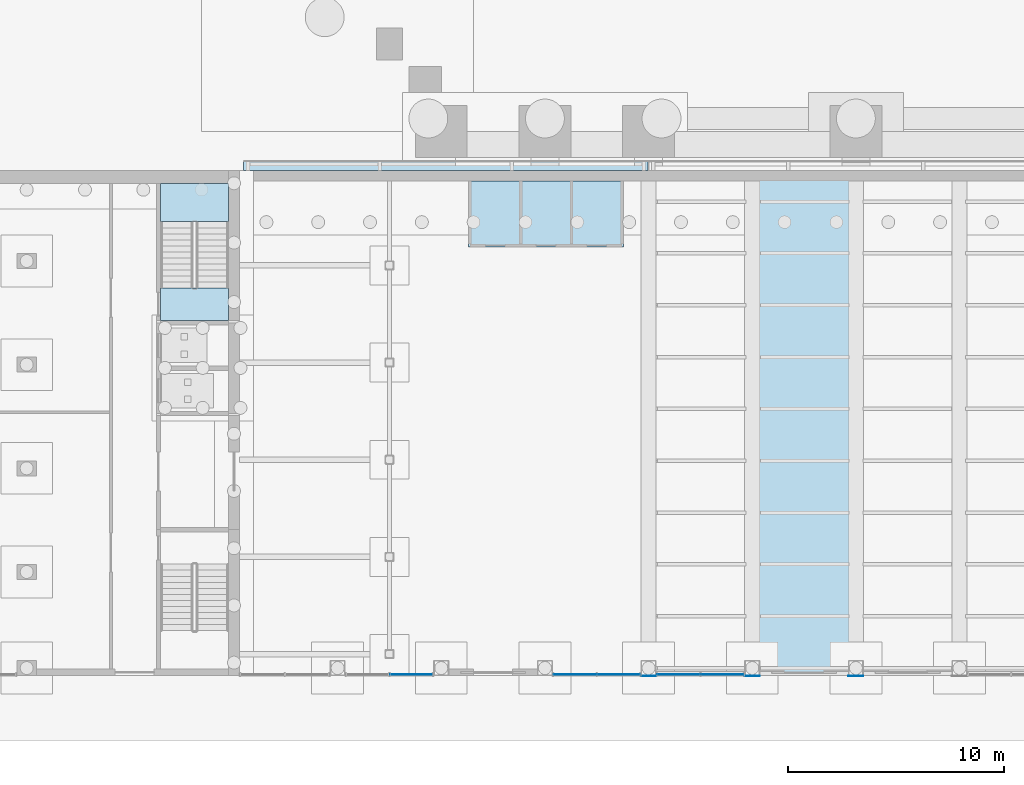
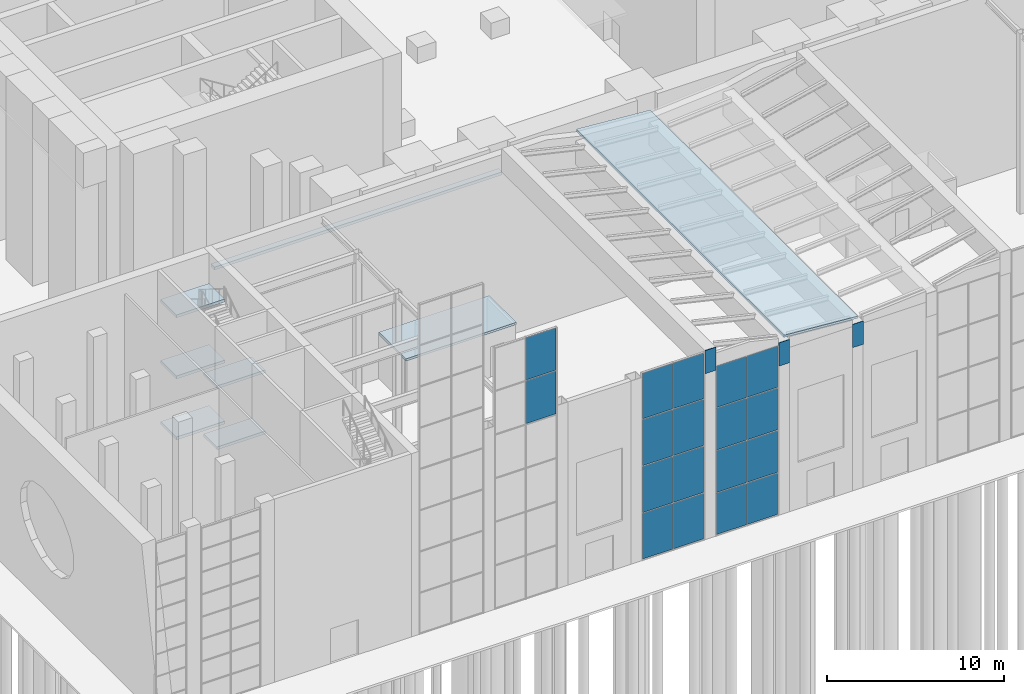
# One storey, part 39 of 58: 21 plates, 8 slabs, 4 elements without a shape of their own.
"""IFC4 building model written with IfcOpenShell, lengths in metres."""

from ifc_helpers import new_model, si_unit, direction, frame, origin, origin_2d, place, context, subcontext, project, spatial, polyline, rectangle, outline, extrude, material, layer, layer_set, type_object, element, aggregate, save


model = new_model("IFC4")

# Units and contexts
model_context = context("Model", 3, precision=1e-05, world=origin(), true_north=direction((0.0, 1.0)))
body_context = subcontext(model_context, "Body", "Model", "MODEL_VIEW")
ifc_project = project(units=[si_unit("LENGTHUNIT", "METRE"), si_unit("AREAUNIT", "SQUARE_METRE"), si_unit("VOLUMEUNIT", "CUBIC_METRE"), si_unit("PLANEANGLEUNIT", "RADIAN"), si_unit("MASSUNIT", "GRAM", prefix="KILO")], contexts=[model_context])

# Site, building, storey
site_placement = place(None, origin())
site = spatial("IfcSite", under=ifc_project, at=site_placement, CompositionType="ELEMENT")
building_placement = place(site_placement, origin())
building = spatial("IfcBuilding", under=site, at=building_placement, Name="Baori Bourse Tower", CompositionType="ELEMENT")
storey_placement = place(building_placement, origin())
storey = spatial("IfcBuildingStorey", under=building, at=storey_placement, Name="L00", CompositionType="ELEMENT", Elevation=0.0)

# Slab
ifc_material_1 = material(Name="Concrete f'c 40 MPa", Category="concrete")
ifc_layer_1 = layer(ifc_material_1, 0.199951171875)
ifc_layer_set_1 = layer_set([ifc_layer_1], Name="Entrance canopy slab 200")
slab_type_1 = type_object("IfcSlabType", Name="Entrance canopy slab 200", PredefinedType="ROOF", material=ifc_layer_set_1)
slab_1_placement = place(storey_placement, frame((0.0, 0.0, 10.800048828125)))
element("IfcSlab", 1, at=slab_1_placement, inside=storey, type_object=slab_type_1, Name="Canopy 1", PredefinedType="ROOF", context=body_context, shape_type="SweptSolid", body=[
    extrude(outline(polyline([(0.449951171875, -1.800048828125), (19.175048828125, -1.800048828125), (19.175048828125, -1.39990234375), (0.449951171875, -1.39990234375), (0.449951171875, -1.800048828125)])), origin(), (0.0, 0.0, 1.0), 0.199951171875),
])

# Plates
ifc_material_2 = material(Name="Steel A572 Gr 50", Category="steel")
ifc_layer_2 = layer(ifc_material_2, 0.030029296875)
ifc_layer_set_2 = layer_set([ifc_layer_2], Name="Girder end plate 30")
plate_type_1 = type_object("IfcPlateType", Name="Girder end plate 30", PredefinedType="SHEET", material=ifc_layer_set_2)
plate_1_placement = place(storey_placement, frame((0.0, 0.0, 11.42919921875)))
element("IfcPlate", 2, at=plate_1_placement, inside=storey, type_object=plate_type_1, Name="Girder end plate", PredefinedType="SHEET", context=body_context, shape_type="SweptSolid", body=[
    extrude(outline(polyline([(18.85009765625, -25.22998046875), (19.550048828125, -25.22998046875), (19.550048828125, -25.199951171875), (18.85009765625, -25.199951171875), (18.85009765625, -25.22998046875)])), origin(), (0.0, 0.0, 1.0), 1.60009765625),
])
plate_2_placement = place(storey_placement, frame((0.0, 0.0, 10.2734375)))
element("IfcPlate", 3, at=plate_2_placement, inside=storey, type_object=plate_type_1, Name="Girder end plate", PredefinedType="SHEET", context=body_context, shape_type="SweptSolid", body=[
    extrude(outline(polyline([(23.64990234375, -25.22998046875), (24.35009765625, -25.22998046875), (24.35009765625, -25.199951171875), (23.64990234375, -25.199951171875), (23.64990234375, -25.22998046875)])), origin(), (0.0, 0.0, 1.0), 1.60009765625),
])
plate_3_placement = place(storey_placement, frame((0.0, 0.0, 9.865234375)))
element("IfcPlate", 4, at=plate_3_placement, inside=storey, type_object=plate_type_1, Name="Girder end plate", PredefinedType="SHEET", context=body_context, shape_type="SweptSolid", body=[
    extrude(outline(polyline([(28.449951171875, -25.22998046875), (29.14990234375, -25.22998046875), (29.14990234375, -25.199951171875), (28.449951171875, -25.199951171875), (28.449951171875, -25.22998046875)])), origin(), (0.0, 0.0, 1.0), 1.60009765625),
])

# Slabs
ifc_material_3 = material(Name="Concrete f'c 40 MPa", Category="concrete")
ifc_layer_3 = layer(ifc_material_3, 0.14990234375)
ifc_layer_set_3 = layer_set([ifc_layer_3], Name="Hall roof deck 150")
slab_type_2 = type_object("IfcSlabType", Name="Hall roof deck 150", PredefinedType="ROOF", material=ifc_layer_set_3)
slab_2_placement = place(storey_placement, frame((24.0, -25.199951171875, 12.26416015625), z_axis=(0.075668707402, 0.0, 0.997133013554), x_axis=(0.997133013554, 0.0, -0.075668707402)))
element("IfcSlab", 5, at=slab_2_placement, inside=storey, type_object=slab_type_2, Name="wing/L00/deck/001", PredefinedType="ROOF", context=body_context, shape_type="SweptSolid", body=[
    extrude(outline(polyline([(0.0, 0.0), (4.813850071029578, 0.0), (4.813850071029578, 23.39990234375), (0.0, 23.39990234375), (0.0, 0.0)])), origin(), (0.0, 0.0, -1.0), 0.14990234375),
])
ifc_material_4 = material(Name="Concrete f'c 40 MPa", Category="concrete")
ifc_layer_4 = layer(ifc_material_4, 0.14990234375)
ifc_layer_set_4 = layer_set([ifc_layer_4], Name="Toilet pod slab 150")
slab_type_3 = type_object("IfcSlabType", Name="Toilet pod slab 150", PredefinedType="FLOOR", material=ifc_layer_set_4)
slab_3_placement = place(storey_placement, frame((0.0, 0.0, 3.050048828125)))
element("IfcSlab", 6, at=slab_3_placement, inside=storey, type_object=slab_type_3, Name="wing/L00/podslab/001", PredefinedType="FLOOR", context=body_context, shape_type="SweptSolid", body=[
    extrude(outline(polyline([(10.85009765625, -2.300048828125), (10.85009765625, -5.35009765625), (18.050048828125, -5.35009765625), (18.050048828125, -2.300048828125), (10.85009765625, -2.300048828125)])), origin(), (0.0, 0.0, 1.0), 0.14990234375),
])

# Curtain wall, plates
ifc_material_5 = material(Name="Pale anodised aluminium", Category="aluminium")
ifc_layer_5 = layer(ifc_material_5, 0.10009765625)
ifc_layer_set_5 = layer_set([ifc_layer_5], Name="Wing curtain wall")
curtain_wall_type = type_object("IfcCurtainWallType", Name="Wing curtain wall", PredefinedType="NOTDEFINED", material=ifc_layer_set_5)
curtain_wall_1_placement = place(storey_placement, origin())
curtain_wall_1 = element("IfcCurtainWall", 7, at=curtain_wall_1_placement, inside=storey, type_object=curtain_wall_type, Name="wing/L00/hallcw/002", PredefinedType="NOTDEFINED")
ifc_material_6 = material(Name="Clear glass", Category="glass")
ifc_layer_6 = layer(ifc_material_6, 0.028076171875)
ifc_layer_set_6 = layer_set([ifc_layer_6], Name="Wing glass panel 28")
plate_type_2 = type_object("IfcPlateType", Name="Wing glass panel 28", PredefinedType="CURTAIN_PANEL", material=ifc_layer_set_6)
plate_4_placement = place(storey_placement, frame((8.2099609375, -25.14990234375, 12.030029296875), z_axis=(0.0, 0.0, 1.0), x_axis=(1.0, 0.0, 0.0)))
plate_4 = element("IfcPlate", 8, at=plate_4_placement, type_object=plate_type_2, Name="X12 panel 2.5", PredefinedType="CURTAIN_PANEL", context=body_context, shape_type="SweptSolid", body=[
    extrude(rectangle(XDim=1.9599609375, YDim=0.028076171875, at=origin_2d()), origin(), (0.0, 0.0, 1.0), 2.93994140625),
])
plate_5_placement = place(storey_placement, frame((8.2099609375, -25.14990234375, 15.0302734375), z_axis=(0.0, 0.0, 1.0), x_axis=(1.0, 0.0, 0.0)))
plate_5 = element("IfcPlate", 9, at=plate_5_placement, type_object=plate_type_2, Name="X12 panel 2.6", PredefinedType="CURTAIN_PANEL", context=body_context, shape_type="SweptSolid", body=[
    extrude(rectangle(XDim=1.9599609375, YDim=0.028076171875, at=origin_2d()), origin(), (0.0, 0.0, 1.0), 2.909912109375),
])
aggregate(curtain_wall_1, [plate_4, plate_5])

curtain_wall_2_placement = place(storey_placement, origin())
curtain_wall_2 = element("IfcCurtainWall", 10, at=curtain_wall_2_placement, inside=storey, type_object=curtain_wall_type, Name="wing/L00/hallcw/003", PredefinedType="NOTDEFINED")
plate_6_placement = place(storey_placement, frame((15.7900390625, -25.14990234375, 0.06005859375), z_axis=(0.0, 0.0, 1.0), x_axis=(1.0, 0.0, 0.0)))
plate_6 = element("IfcPlate", 11, at=plate_6_placement, type_object=plate_type_2, Name="X12 panel 1.1", PredefinedType="CURTAIN_PANEL", context=body_context, shape_type="SweptSolid", body=[
    extrude(rectangle(XDim=1.9599609375, YDim=0.028076171875, at=origin_2d()), origin(), (0.0, 0.0, 1.0), 3.135009765625),
])
plate_7_placement = place(storey_placement, frame((15.7900390625, -25.14990234375, 3.2548828125), z_axis=(0.0, 0.0, 1.0), x_axis=(1.0, 0.0, 0.0)))
plate_7 = element("IfcPlate", 12, at=plate_7_placement, type_object=plate_type_2, Name="X12 panel 1.2", PredefinedType="CURTAIN_PANEL", context=body_context, shape_type="SweptSolid", body=[
    extrude(rectangle(XDim=1.9599609375, YDim=0.028076171875, at=origin_2d()), origin(), (0.0, 0.0, 1.0), 3.1650390625),
])
plate_8_placement = place(storey_placement, frame((15.7900390625, -25.14990234375, 6.47998046875), z_axis=(0.0, 0.0, 1.0), x_axis=(1.0, 0.0, 0.0)))
plate_8 = element("IfcPlate", 13, at=plate_8_placement, type_object=plate_type_2, Name="X12 panel 1.3", PredefinedType="CURTAIN_PANEL", context=body_context, shape_type="SweptSolid", body=[
    extrude(rectangle(XDim=1.9599609375, YDim=0.028076171875, at=origin_2d()), origin(), (0.0, 0.0, 1.0), 3.1650390625),
])
plate_9_placement = place(storey_placement, frame((15.7900390625, -25.14990234375, 9.705078125), z_axis=(0.0, 0.0, 1.0), x_axis=(1.0, 0.0, 0.0)))
plate_9 = element("IfcPlate", 14, at=plate_9_placement, type_object=plate_type_2, Name="X12 panel 1.4", PredefinedType="CURTAIN_PANEL", context=body_context, shape_type="SweptSolid", body=[
    extrude(rectangle(XDim=1.9599609375, YDim=0.028076171875, at=origin_2d()), origin(), (0.0, 0.0, 1.0), 3.135009765625),
])
plate_10_placement = place(storey_placement, frame((17.81005859375, -25.14990234375, 0.06005859375), z_axis=(0.0, 0.0, 1.0), x_axis=(1.0, 0.0, 0.0)))
plate_10 = element("IfcPlate", 15, at=plate_10_placement, type_object=plate_type_2, Name="X12 panel 2.1", PredefinedType="CURTAIN_PANEL", context=body_context, shape_type="SweptSolid", body=[
    extrude(rectangle(XDim=1.9599609375, YDim=0.028076171875, at=origin_2d()), origin(), (0.0, 0.0, 1.0), 3.135009765625),
])
plate_11_placement = place(storey_placement, frame((17.81005859375, -25.14990234375, 3.2548828125), z_axis=(0.0, 0.0, 1.0), x_axis=(1.0, 0.0, 0.0)))
plate_11 = element("IfcPlate", 16, at=plate_11_placement, type_object=plate_type_2, Name="X12 panel 2.2", PredefinedType="CURTAIN_PANEL", context=body_context, shape_type="SweptSolid", body=[
    extrude(rectangle(XDim=1.9599609375, YDim=0.028076171875, at=origin_2d()), origin(), (0.0, 0.0, 1.0), 3.1650390625),
])
plate_12_placement = place(storey_placement, frame((17.81005859375, -25.14990234375, 6.47998046875), z_axis=(0.0, 0.0, 1.0), x_axis=(1.0, 0.0, 0.0)))
plate_12 = element("IfcPlate", 17, at=plate_12_placement, type_object=plate_type_2, Name="X12 panel 2.3", PredefinedType="CURTAIN_PANEL", context=body_context, shape_type="SweptSolid", body=[
    extrude(rectangle(XDim=1.9599609375, YDim=0.028076171875, at=origin_2d()), origin(), (0.0, 0.0, 1.0), 3.1650390625),
])
plate_13_placement = place(storey_placement, frame((17.81005859375, -25.14990234375, 9.705078125), z_axis=(0.0, 0.0, 1.0), x_axis=(1.0, 0.0, 0.0)))
plate_13 = element("IfcPlate", 18, at=plate_13_placement, type_object=plate_type_2, Name="X12 panel 2.4", PredefinedType="CURTAIN_PANEL", context=body_context, shape_type="SweptSolid", body=[
    extrude(rectangle(XDim=1.9599609375, YDim=0.028076171875, at=origin_2d()), origin(), (0.0, 0.0, 1.0), 3.135009765625),
])
aggregate(curtain_wall_2, [plate_6, plate_7, plate_8, plate_9, plate_10, plate_11, plate_12, plate_13])

curtain_wall_3_placement = place(storey_placement, origin())
curtain_wall_3 = element("IfcCurtainWall", 19, at=curtain_wall_3_placement, inside=storey, type_object=curtain_wall_type, Name="wing/L00/hallcw/004", PredefinedType="NOTDEFINED")
plate_14_placement = place(storey_placement, frame((20.590087890625, -25.14990234375, 0.06005859375), z_axis=(0.0, 0.0, 1.0), x_axis=(1.0, 0.0, 0.0)))
plate_14 = element("IfcPlate", 20, at=plate_14_placement, type_object=plate_type_2, Name="X12 panel 1.1", PredefinedType="CURTAIN_PANEL", context=body_context, shape_type="SweptSolid", body=[
    extrude(rectangle(XDim=1.9599609375, YDim=0.028076171875, at=origin_2d()), origin(), (0.0, 0.0, 1.0), 2.8349609375),
])
plate_15_placement = place(storey_placement, frame((20.590087890625, -25.14990234375, 2.955078125), z_axis=(0.0, 0.0, 1.0), x_axis=(1.0, 0.0, 0.0)))
plate_15 = element("IfcPlate", 21, at=plate_15_placement, type_object=plate_type_2, Name="X12 panel 1.2", PredefinedType="CURTAIN_PANEL", context=body_context, shape_type="SweptSolid", body=[
    extrude(rectangle(XDim=1.9599609375, YDim=0.028076171875, at=origin_2d()), origin(), (0.0, 0.0, 1.0), 2.864990234375),
])
plate_16_placement = place(storey_placement, frame((20.590087890625, -25.14990234375, 5.8798828125), z_axis=(0.0, 0.0, 1.0), x_axis=(1.0, 0.0, 0.0)))
plate_16 = element("IfcPlate", 22, at=plate_16_placement, type_object=plate_type_2, Name="X12 panel 1.3", PredefinedType="CURTAIN_PANEL", context=body_context, shape_type="SweptSolid", body=[
    extrude(rectangle(XDim=1.9599609375, YDim=0.028076171875, at=origin_2d()), origin(), (0.0, 0.0, 1.0), 2.864990234375),
])
plate_17_placement = place(storey_placement, frame((20.590087890625, -25.14990234375, 8.804931640625), z_axis=(0.0, 0.0, 1.0), x_axis=(1.0, 0.0, 0.0)))
plate_17 = element("IfcPlate", 23, at=plate_17_placement, type_object=plate_type_2, Name="X12 panel 1.4", PredefinedType="CURTAIN_PANEL", context=body_context, shape_type="SweptSolid", body=[
    extrude(rectangle(XDim=1.9599609375, YDim=0.028076171875, at=origin_2d()), origin(), (0.0, 0.0, 1.0), 2.8349609375),
])
plate_18_placement = place(storey_placement, frame((22.610107421875, -25.14990234375, 0.06005859375), z_axis=(0.0, 0.0, 1.0), x_axis=(1.0, 0.0, 0.0)))
plate_18 = element("IfcPlate", 24, at=plate_18_placement, type_object=plate_type_2, Name="X12 panel 2.1", PredefinedType="CURTAIN_PANEL", context=body_context, shape_type="SweptSolid", body=[
    extrude(rectangle(XDim=1.9599609375, YDim=0.028076171875, at=origin_2d()), origin(), (0.0, 0.0, 1.0), 2.8349609375),
])
plate_19_placement = place(storey_placement, frame((22.610107421875, -25.14990234375, 2.955078125), z_axis=(0.0, 0.0, 1.0), x_axis=(1.0, 0.0, 0.0)))
plate_19 = element("IfcPlate", 25, at=plate_19_placement, type_object=plate_type_2, Name="X12 panel 2.2", PredefinedType="CURTAIN_PANEL", context=body_context, shape_type="SweptSolid", body=[
    extrude(rectangle(XDim=1.9599609375, YDim=0.028076171875, at=origin_2d()), origin(), (0.0, 0.0, 1.0), 2.864990234375),
])
plate_20_placement = place(storey_placement, frame((22.610107421875, -25.14990234375, 5.8798828125), z_axis=(0.0, 0.0, 1.0), x_axis=(1.0, 0.0, 0.0)))
plate_20 = element("IfcPlate", 26, at=plate_20_placement, type_object=plate_type_2, Name="X12 panel 2.3", PredefinedType="CURTAIN_PANEL", context=body_context, shape_type="SweptSolid", body=[
    extrude(rectangle(XDim=1.9599609375, YDim=0.028076171875, at=origin_2d()), origin(), (0.0, 0.0, 1.0), 2.864990234375),
])
plate_21_placement = place(storey_placement, frame((22.610107421875, -25.14990234375, 8.804931640625), z_axis=(0.0, 0.0, 1.0), x_axis=(1.0, 0.0, 0.0)))
plate_21 = element("IfcPlate", 27, at=plate_21_placement, type_object=plate_type_2, Name="X12 panel 2.4", PredefinedType="CURTAIN_PANEL", context=body_context, shape_type="SweptSolid", body=[
    extrude(rectangle(XDim=1.9599609375, YDim=0.028076171875, at=origin_2d()), origin(), (0.0, 0.0, 1.0), 2.8349609375),
])
aggregate(curtain_wall_3, [plate_14, plate_15, plate_16, plate_17, plate_18, plate_19, plate_20, plate_21])

# Stair, slabs
ifc_material_7 = material(Name="Concrete f'c 40 MPa", Category="concrete")
stair_type = type_object("IfcStairType", Name="Wing exit stair 1500", PredefinedType="HALF_TURN_STAIR", material=ifc_material_7)
stair_placement = place(storey_placement, origin())
stair = element("IfcStair", 28, at=stair_placement, inside=storey, type_object=stair_type, Name="L00 Exit stair WA", PredefinedType="HALF_TURN_STAIR")
ifc_material_8 = material(Name="Concrete f'c 40 MPa", Category="concrete")
ifc_layer_7 = layer(ifc_material_8, 0.199951171875)
ifc_layer_set_7 = layer_set([ifc_layer_7], Name="Wing stair landing 200")
slab_type_4 = type_object("IfcSlabType", Name="Wing stair landing 200", PredefinedType="LANDING", material=ifc_layer_set_7)
slab_4_placement = place(storey_placement, frame((0.0, 0.0, 1.89990234375)))
slab_4 = element("IfcSlab", 29, at=slab_4_placement, type_object=slab_type_4, Name="W-STA landing 1", PredefinedType="LANDING", context=body_context, shape_type="SweptSolid", body=[
    extrude(outline(polyline([(-0.25, -4.179931640625), (-0.25, -2.39990234375), (-3.39990234375, -2.39990234375), (-3.39990234375, -4.179931640625), (-0.25, -4.179931640625)])), origin(), (0.0, 0.0, 1.0), 0.2001953125),
])
slab_5_placement = place(storey_placement, frame((0.0, 0.0, 4.0)))
slab_5 = element("IfcSlab", 30, at=slab_5_placement, type_object=slab_type_4, Name="W-STA landing 2", PredefinedType="LANDING", context=body_context, shape_type="SweptSolid", body=[
    extrude(outline(polyline([(-0.25, -8.760009765625), (-0.25, -7.260009765625), (-3.39990234375, -7.260009765625), (-3.39990234375, -8.760009765625), (-0.25, -8.760009765625)])), origin(), (0.0, 0.0, 1.0), 0.199951171875),
])
slab_6_placement = place(storey_placement, frame((0.0, 0.0, 6.10009765625)))
slab_6 = element("IfcSlab", 31, at=slab_6_placement, type_object=slab_type_4, Name="W-STA landing 3", PredefinedType="LANDING", context=body_context, shape_type="SweptSolid", body=[
    extrude(outline(polyline([(-0.25, -4.179931640625), (-0.25, -2.39990234375), (-3.39990234375, -2.39990234375), (-3.39990234375, -4.179931640625), (-0.25, -4.179931640625)])), origin(), (0.0, 0.0, 1.0), 0.199951171875),
])
slab_7_placement = place(storey_placement, frame((0.0, 0.0, 8.199951171875)))
slab_7 = element("IfcSlab", 32, at=slab_7_placement, type_object=slab_type_4, Name="W-STA landing 4", PredefinedType="LANDING", context=body_context, shape_type="SweptSolid", body=[
    extrude(outline(polyline([(-0.25, -8.760009765625), (-0.25, -7.260009765625), (-3.39990234375, -7.260009765625), (-3.39990234375, -8.760009765625), (-0.25, -8.760009765625)])), origin(), (0.0, 0.0, 1.0), 0.199951171875),
])
slab_8_placement = place(storey_placement, frame((0.0, 0.0, 10.300048828125)))
slab_8 = element("IfcSlab", 33, at=slab_8_placement, type_object=slab_type_4, Name="W-STA landing 5", PredefinedType="LANDING", context=body_context, shape_type="SweptSolid", body=[
    extrude(outline(polyline([(-0.25, -4.179931640625), (-0.25, -2.39990234375), (-3.39990234375, -2.39990234375), (-3.39990234375, -4.179931640625), (-0.25, -4.179931640625)])), origin(), (0.0, 0.0, 1.0), 0.199951171875),
])
aggregate(stair, [slab_4, slab_5, slab_6, slab_7, slab_8])

save(model, "model.ifc")
